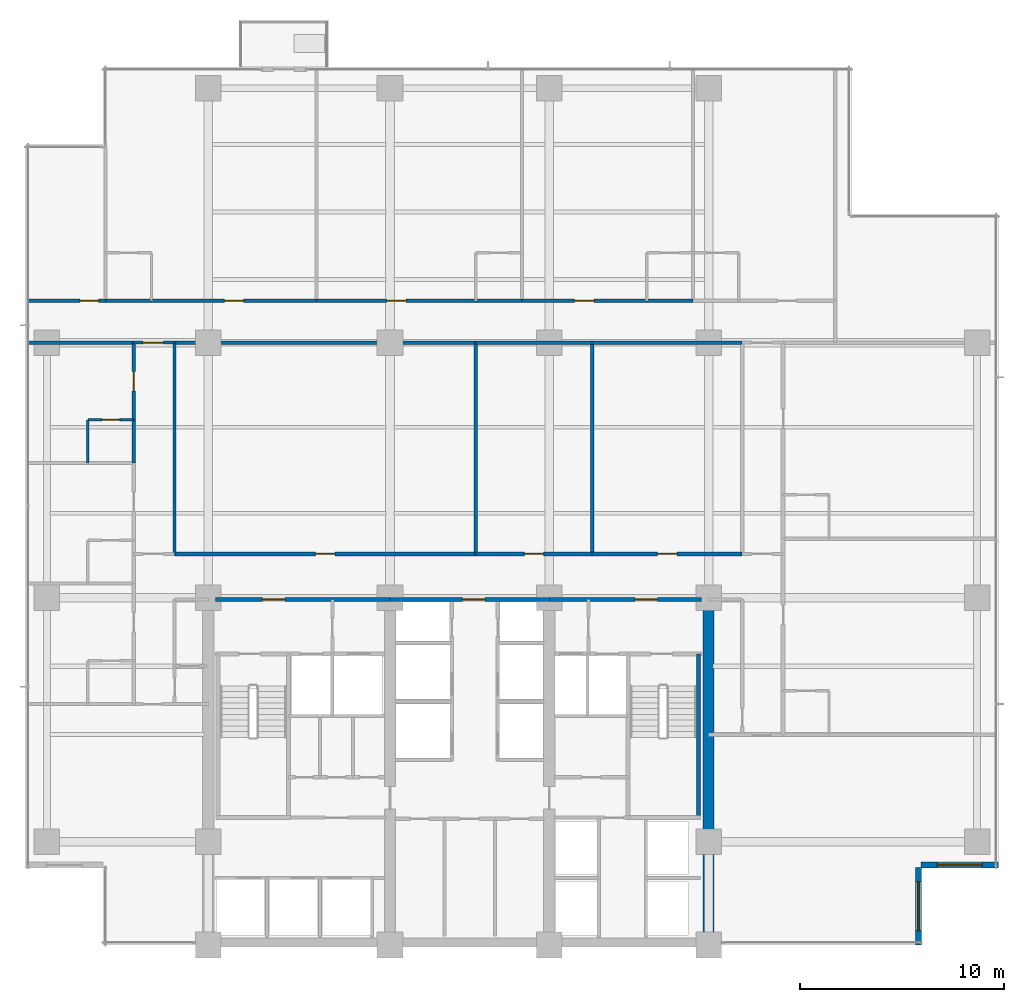
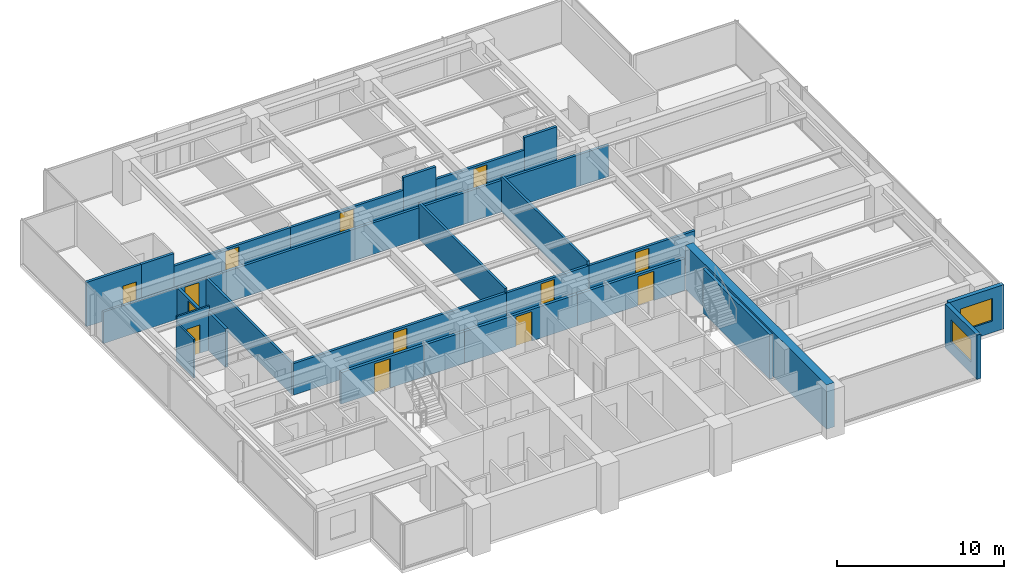
# One storey, part 10 of 18: 30 walls, 13 doors, 2 windows, 15 openings.
"""IFC4 building model written with IfcOpenShell, lengths in metres."""

from ifc_helpers import new_model, si_unit, direction, frame, frame_2d, origin, place, context, subcontext, project, spatial, rectangle, extrude, material, layer, layer_set, type_object, element, fill, save


model = new_model("IFC4")

# Units and contexts
model_context = context("Model", 3, precision=1e-05, world=origin(), true_north=direction((0.0, 1.0)))
body_context = subcontext(model_context, "Body", "Model", "MODEL_VIEW")
ifc_project = project(units=[si_unit("LENGTHUNIT", "METRE"), si_unit("AREAUNIT", "SQUARE_METRE"), si_unit("VOLUMEUNIT", "CUBIC_METRE"), si_unit("PLANEANGLEUNIT", "RADIAN"), si_unit("MASSUNIT", "GRAM", prefix="KILO")], contexts=[model_context])

# Site, building, storey
site_placement = place(None, origin())
site = spatial("IfcSite", under=ifc_project, at=site_placement, CompositionType="ELEMENT")
building_placement = place(site_placement, origin())
building = spatial("IfcBuilding", under=site, at=building_placement, Name="Qalmaran Belvedere Hotel", CompositionType="ELEMENT")
storey_placement = place(building_placement, frame((0.0, 0.0, 95.199951171875)))
storey = spatial("IfcBuildingStorey", under=building, at=storey_placement, Name="L23", CompositionType="ELEMENT", Elevation=95.199951171875)

# Wall
ifc_material_1 = material(Name="Concrete C60/75", Category="concrete")
ifc_layer_1 = layer(ifc_material_1, 0.550048828125, Name="Concrete C60/75")
ifc_layer_set_1 = layer_set([ifc_layer_1], Name="Concrete C60/75")
wall_type_1 = type_object("IfcWallType", Name="WL-CORE-550-C60", PredefinedType="SHEAR", material=ifc_layer_set_1)
wall_1_placement = place(storey_placement, frame((44.800048828125, 3.5, 0.0), z_axis=(0.0, 0.0, 1.0), x_axis=(0.0, 1.0, 0.0)))
element("IfcWall", 1, at=wall_1_placement, inside=storey, type_object=wall_type_1, Name="L23 East Core Shear Wall", PredefinedType="SHEAR", context=body_context, shape_type="SweptSolid", body=[
    extrude(rectangle(XDim=16.89990234375, YDim=0.550048828125, at=frame_2d((8.449951171875, 0.0))), origin(), (0.0, 0.0, 1.0), 3.239990234375),
])

# Wall, opening, window
ifc_material_2 = material(Name="Anodised Bronze Cladding")
ifc_layer_2 = layer(ifc_material_2, 0.280029296875, Name="Anodised Bronze Cladding")
ifc_layer_set_2 = layer_set([ifc_layer_2], Name="Anodised Bronze Cladding")
wall_type_2 = type_object("IfcWallType", Name="WL-EXT-BRNZ-280", PredefinedType="SOLIDWALL", material=ifc_layer_set_2)
wall_2_placement = place(storey_placement, frame((55.080078125, 3.5, 0.0), z_axis=(0.0, 0.0, 1.0), x_axis=(0.0, 1.0, 0.0)))
wall_2 = element("IfcWall", 2, at=wall_2_placement, inside=storey, type_object=wall_type_2, Name="L23 Corner Notch Wall 1", PredefinedType="SOLIDWALL", context=body_context, shape_type="SweptSolid", body=[
    extrude(rectangle(XDim=3.800048828125, YDim=0.280029296875, at=frame_2d((1.89990234375, 0.0))), origin(), (0.0, 0.0, 1.0), 3.239990234375),
])
opening_1_placement = place(wall_2_placement, frame((0.699951171875, 0.0, 0.85009765625)))
opening_1 = element("IfcOpeningElement", 3, at=opening_1_placement, cuts=wall_2, Name="Opening W-N24", PredefinedType="OPENING", context=body_context, shape_type="SweptSolid", body=[
    extrude(rectangle(XDim=2.39990234375, YDim=1.64990234375, at=frame_2d((1.199951171875, 0.824951171875))), frame((0.0, 0.14990234375, 0.0), z_axis=(0.0, -1.0, 0.0), x_axis=(1.0, 0.0, 0.0)), (0.0, 0.0, 1.0), 0.300048828125),
])
ifc_material_3 = material(Name="Solar-Control Double Glazing", Category="glass")
window_type_1 = type_object("IfcWindowType", Name="WN-NTC-2400X1650", PartitioningType="SINGLE_PANEL", PredefinedType="WINDOW", material=ifc_material_3)
window_1_placement = place(opening_1_placement, origin())
window_1 = element("IfcWindow", 4, at=window_1_placement, inside=storey, type_object=window_type_1, Name="L23 Corner Notch Window 1", OverallHeight=1.64990234375, OverallWidth=2.39990234375, PartitioningType="SINGLE_PANEL", PredefinedType="WINDOW", context=body_context, shape_type="SweptSolid", body=[
    extrude(rectangle(XDim=2.39990234375, YDim=1.64990234375, at=frame_2d((1.199951171875, 0.824951171875))), frame((0.0, 0.030029296875, 0.0), z_axis=(0.0, -1.0, 0.0), x_axis=(1.0, 0.0, 0.0)), (0.0, 0.0, 1.0), 0.06005859375),
])
fill(opening_1, window_1)

wall_3_placement = place(storey_placement, frame((55.199951171875, 7.419921875, 0.0), z_axis=(0.0, 0.0, 1.0), x_axis=(1.0, 0.0, 0.0)))
wall_3 = element("IfcWall", 5, at=wall_3_placement, inside=storey, type_object=wall_type_2, Name="L23 Corner Notch Wall 2", PredefinedType="SOLIDWALL", context=body_context, shape_type="SweptSolid", body=[
    extrude(rectangle(XDim=3.800048828125, YDim=0.280029296875, at=frame_2d((1.89990234375, 0.0))), origin(), (0.0, 0.0, 1.0), 3.239990234375),
])
opening_2_placement = place(wall_3_placement, frame((0.800048828125, 0.0, 0.85009765625)))
opening_2 = element("IfcOpeningElement", 6, at=opening_2_placement, cuts=wall_3, Name="Opening W-N22", PredefinedType="OPENING", context=body_context, shape_type="SweptSolid", body=[
    extrude(rectangle(XDim=2.199951171875, YDim=1.64990234375, at=frame_2d((1.10009765625, 0.824951171875))), frame((0.0, 0.14990234375, 0.0), z_axis=(0.0, -1.0, 0.0), x_axis=(1.0, 0.0, 0.0)), (0.0, 0.0, 1.0), 0.300048828125),
])
window_type_2 = type_object("IfcWindowType", Name="WN-NTC-2200X1650", PartitioningType="SINGLE_PANEL", PredefinedType="WINDOW", material=ifc_material_3)
window_2_placement = place(opening_2_placement, origin())
window_2 = element("IfcWindow", 7, at=window_2_placement, inside=storey, type_object=window_type_2, Name="L23 Corner Notch Window 2", OverallHeight=1.64990234375, OverallWidth=2.199951171875, PartitioningType="SINGLE_PANEL", PredefinedType="WINDOW", context=body_context, shape_type="SweptSolid", body=[
    extrude(rectangle(XDim=2.199951171875, YDim=1.64990234375, at=frame_2d((1.10009765625, 0.824951171875))), frame((0.0, 0.030029296875, 0.0), z_axis=(0.0, -1.0, 0.0), x_axis=(1.0, 0.0, 0.0)), (0.0, 0.0, 1.0), 0.06005859375),
])
fill(opening_2, window_2)

# Wall, opening, door
ifc_material_4 = material(Name="Moisture-Resistant Gypsum")
ifc_layer_3 = layer(ifc_material_4, 0.1201171875, Name="Moisture-Resistant Gypsum")
ifc_layer_set_3 = layer_set([ifc_layer_3], Name="Moisture-Resistant Gypsum")
wall_type_3 = type_object("IfcWallType", Name="WL-INT-120-BATH", PredefinedType="PARTITIONING", material=ifc_layer_set_3)
wall_4_placement = place(storey_placement, frame((14.39990234375, 29.219970703125, 0.0), z_axis=(0.0, 0.0, 1.0), x_axis=(1.0, 0.0, 0.0)))
wall_4 = element("IfcWall", 8, at=wall_4_placement, inside=storey, type_object=wall_type_3, Name="L23 Partition WL-L23-WBN02", PredefinedType="PARTITIONING", context=body_context, shape_type="SweptSolid", body=[
    extrude(rectangle(XDim=2.25, YDim=0.1201171875, at=frame_2d((1.125, 0.0))), origin(), (0.0, 0.0, 1.0), 3.239990234375),
])
opening_3_placement = place(wall_4_placement, frame((1.56494140625, 0.0, 0.0), z_axis=(0.0, 0.0, 1.0), x_axis=(-1.0, 0.0, 0.0)))
opening_3 = element("IfcOpeningElement", 9, at=opening_3_placement, cuts=wall_4, Name="Opening D-BATH", PredefinedType="OPENING", context=body_context, shape_type="SweptSolid", body=[
    extrude(rectangle(XDim=0.8798828125, YDim=2.080078125, at=frame_2d((0.43994140625, 1.0400390625))), frame((0.0, 0.070068359375, 0.0), z_axis=(0.0, -1.0, 0.0), x_axis=(1.0, 0.0, 0.0)), (0.0, 0.0, 1.0), 0.14013671875),
])
ifc_material_5 = material(Name="Engineered Oak Veneer")
door_type_1 = type_object("IfcDoorType", Name="DR-INT-BATH-880X2080", OperationType="NOTDEFINED", PredefinedType="DOOR", material=ifc_material_5)
door_1_placement = place(opening_3_placement, origin())
door_1 = element("IfcDoor", 10, at=door_1_placement, inside=storey, type_object=door_type_1, Name="L23 W Ensuite Door 03", OperationType="SINGLE_SWING_LEFT", OverallHeight=2.080078125, OverallWidth=0.8798828125, PredefinedType="DOOR", context=body_context, shape_type="SweptSolid", body=[
    extrude(rectangle(XDim=0.8798828125, YDim=2.080078125, at=frame_2d((0.43994140625, 1.0400390625))), frame((0.0, 0.02490234375, 0.0), z_axis=(0.0, -1.0, 0.0), x_axis=(1.0, 0.0, 0.0)), (0.0, 0.0, 1.0), 0.050048828125),
])
fill(opening_3, door_1)

# Wall
wall_5_placement = place(storey_placement, frame((14.39990234375, 27.10009765625, 0.0), z_axis=(0.0, 0.0, 1.0), x_axis=(0.0, 1.0, 0.0)))
element("IfcWall", 11, at=wall_5_placement, inside=storey, type_object=wall_type_3, Name="L23 Partition WL-L23-WBS02", PredefinedType="PARTITIONING", context=body_context, shape_type="SweptSolid", body=[
    extrude(rectangle(XDim=2.119873046875, YDim=0.1201171875, at=frame_2d((1.06005859375, 0.0))), origin(), (0.0, 0.0, 1.0), 2.818115234375),
])

# Wall, opening, door
ifc_material_6 = material(Name="Gypsum Stud Partition")
ifc_layer_4 = layer(ifc_material_6, 0.14990234375, Name="Gypsum Stud Partition")
ifc_layer_set_4 = layer_set([ifc_layer_4], Name="Gypsum Stud Partition")
wall_type_4 = type_object("IfcWallType", Name="WL-INT-150-EI60", PredefinedType="PARTITIONING", material=ifc_layer_set_4)
wall_6_placement = place(storey_placement, frame((16.64990234375, 33.0, 0.0), z_axis=(0.0, 0.0, 1.0), x_axis=(1.0, 0.0, 0.0)))
wall_6 = element("IfcWall", 12, at=wall_6_placement, inside=storey, type_object=wall_type_4, Name="L23 Partition WL-L23-XCW2", PredefinedType="PARTITIONING", context=body_context, shape_type="SweptSolid", body=[
    extrude(rectangle(XDim=2.0, YDim=0.14990234375, at=frame_2d((1.0, 0.0))), origin(), (0.0, 0.0, 1.0), 2.31298828125),
])
opening_4_placement = place(wall_6_placement, frame((0.449951171875, 0.0, 0.0)))
opening_4 = element("IfcOpeningElement", 13, at=opening_4_placement, cuts=wall_6, Name="Opening FD90B", PredefinedType="OPENING", context=body_context, shape_type="SweptSolid", body=[
    extrude(rectangle(XDim=1.0, YDim=2.14990234375, at=frame_2d((0.5, 1.074951171875))), frame((0.0, 0.0849609375, 0.0), z_axis=(0.0, -1.0, 0.0), x_axis=(1.0, 0.0, 0.0)), (0.0, 0.0, 1.0), 0.169921875),
])
ifc_material_7 = material(Name="Steel S355JR", Category="steel")
door_type_2 = type_object("IfcDoorType", Name="DR-FD90B-1000X2150", OperationType="NOTDEFINED", PredefinedType="DOOR", material=ifc_material_7)
door_2_placement = place(opening_4_placement, origin())
door_2 = element("IfcDoor", 14, at=door_2_placement, inside=storey, type_object=door_type_2, Name="L23 West Corridor Smoke Door N", OperationType="SINGLE_SWING_LEFT", OverallHeight=2.14990234375, OverallWidth=1.0, PredefinedType="DOOR", context=body_context, shape_type="SweptSolid", body=[
    extrude(rectangle(XDim=1.0, YDim=2.14990234375, at=frame_2d((0.5, 1.074951171875))), frame((0.0, 0.02490234375, 0.0), z_axis=(0.0, -1.0, 0.0), x_axis=(1.0, 0.0, 0.0)), (0.0, 0.0, 1.0), 0.050048828125),
])
fill(opening_4, door_2)

# Walls
ifc_layer_5 = layer(ifc_material_6, 0.159912109375, Name="Gypsum Stud Partition")
ifc_layer_set_5 = layer_set([ifc_layer_5], Name="Gypsum Stud Partition")
wall_type_5 = type_object("IfcWallType", Name="WL-INT-160-EI60", PredefinedType="PARTITIONING", material=ifc_layer_set_5)
wall_7_placement = place(storey_placement, frame((18.64990234375, 22.64990234375, 0.0), z_axis=(0.0, 0.0, 1.0), x_axis=(0.0, 1.0, 0.0)))
element("IfcWall", 15, at=wall_7_placement, inside=storey, type_object=wall_type_5, Name="L23 Partition WL-L23-MIDVL", PredefinedType="PARTITIONING", context=body_context, shape_type="SweptSolid", body=[
    extrude(rectangle(XDim=10.35009765625, YDim=0.159912109375, at=frame_2d((5.175048828125, 0.0))), origin(), (0.0, 0.0, 1.0), 2.31298828125),
])
for number, where, z_axis, x_axis, name in (
    (16, (33.39990234375, 22.64990234375, 0.0), (0.0, 0.0, 1.0), (0.0, 1.0, 0.0), "L23 Partition WL-L23-MIDVR1"),
    (17, (39.10009765625, 22.64990234375, 0.0), (0.0, 0.0, 1.0), (0.0, 1.0, 0.0), "L23 Partition WL-L23-MIDVR2"),
):
    element("IfcWall", number, at=place(storey_placement, frame(where, z_axis=z_axis, x_axis=x_axis)), inside=storey, type_object=wall_type_5, Name=name, PredefinedType="PARTITIONING", context=body_context, shape_type="SweptSolid", body=[
        extrude(rectangle(XDim=10.35009765625, YDim=0.159912109375, at=frame_2d((5.175048828125, 0.0))), origin(), (0.0, 0.0, 1.0), 2.614013671875),
    ])
wall_8_placement = place(storey_placement, frame((11.469970703125, 33.0, 0.0), z_axis=(0.0, 0.0, 1.0), x_axis=(1.0, 0.0, 0.0)))
element("IfcWall", 18, at=wall_8_placement, inside=storey, type_object=wall_type_5, Name="L23 Partition WL-L23-WU02", PredefinedType="PARTITIONING", context=body_context, shape_type="SweptSolid", body=[
    extrude(rectangle(XDim=5.179931640625, YDim=0.159912109375, at=frame_2d((2.58984375, 0.0))), origin(), (0.0, 0.0, 1.0), 2.31298828125),
])

# Wall, opening, door
ifc_layer_6 = layer(ifc_material_6, 0.179931640625, Name="Gypsum Stud Partition")
ifc_layer_set_6 = layer_set([ifc_layer_6], Name="Gypsum Stud Partition")
wall_type_6 = type_object("IfcWallType", Name="WL-INT-180-EI60", PredefinedType="PARTITIONING", material=ifc_layer_set_6)
wall_9_placement = place(storey_placement, frame((18.64990234375, 22.64990234375, 0.0), z_axis=(0.0, 0.0, 1.0), x_axis=(1.0, 0.0, 0.0)))
wall_9 = element("IfcWall", 19, at=wall_9_placement, inside=storey, type_object=wall_type_6, Name="L23 Partition WL-L23-MIDD1", PredefinedType="PARTITIONING", context=body_context, shape_type="SweptSolid", body=[
    extrude(rectangle(XDim=14.75, YDim=0.179931640625, at=frame_2d((7.375, 0.0))), origin(), (0.0, 0.0, 1.0), 2.31298828125),
])
opening_5_placement = place(wall_9_placement, frame((6.89990234375, 0.0, 0.0)))
opening_5 = element("IfcOpeningElement", 20, at=opening_5_placement, cuts=wall_9, Name="Opening FD60", PredefinedType="OPENING", context=body_context, shape_type="SweptSolid", body=[
    extrude(rectangle(XDim=0.949951171875, YDim=2.14990234375, at=frame_2d((0.47509765625, 1.074951171875))), frame((0.0, 0.10009765625, 0.0), z_axis=(0.0, -1.0, 0.0), x_axis=(1.0, 0.0, 0.0)), (0.0, 0.0, 1.0), 0.199951171875),
])
door_type_3 = type_object("IfcDoorType", Name="DR-FD60-950X2150", OperationType="NOTDEFINED", PredefinedType="DOOR", material=ifc_material_5)
door_3_placement = place(opening_5_placement, origin())
door_3 = element("IfcDoor", 21, at=door_3_placement, inside=storey, type_object=door_type_3, Name="L23 Housekeeping and Linen Room Door", OperationType="SINGLE_SWING_RIGHT", OverallHeight=2.14990234375, OverallWidth=0.949951171875, PredefinedType="DOOR", context=body_context, shape_type="SweptSolid", body=[
    extrude(rectangle(XDim=0.949951171875, YDim=2.14990234375, at=frame_2d((0.47509765625, 1.074951171875))), frame((0.0, 0.02490234375, 0.0), z_axis=(0.0, -1.0, 0.0), x_axis=(1.0, 0.0, 0.0)), (0.0, 0.0, 1.0), 0.050048828125),
])
fill(opening_5, door_3)

# Wall
wall_10_placement = place(storey_placement, frame((18.64990234375, 33.0, 0.0), z_axis=(0.0, 0.0, 1.0), x_axis=(1.0, 0.0, 0.0)))
element("IfcWall", 22, at=wall_10_placement, inside=storey, type_object=wall_type_6, Name="L23 Partition WL-L23-MIDO1", PredefinedType="PARTITIONING", context=body_context, shape_type="SweptSolid", body=[
    extrude(rectangle(XDim=14.75, YDim=0.179931640625, at=frame_2d((7.375, 0.0))), origin(), (0.0, 0.0, 1.0), 2.31298828125),
])

# Wall, opening, door
wall_11_placement = place(storey_placement, frame((33.39990234375, 22.64990234375, 0.0), z_axis=(0.0, 0.0, 1.0), x_axis=(1.0, 0.0, 0.0)))
wall_11 = element("IfcWall", 23, at=wall_11_placement, inside=storey, type_object=wall_type_6, Name="L23 Partition WL-L23-MIDD2", PredefinedType="PARTITIONING", context=body_context, shape_type="SweptSolid", body=[
    extrude(rectangle(XDim=5.7001953125, YDim=0.179931640625, at=frame_2d((2.85009765625, 0.0))), origin(), (0.0, 0.0, 1.0), 2.31298828125),
])
opening_6_placement = place(wall_11_placement, frame((2.375, 0.0, 0.0)))
opening_6 = element("IfcOpeningElement", 24, at=opening_6_placement, cuts=wall_11, Name="Opening FD60", PredefinedType="OPENING", context=body_context, shape_type="SweptSolid", body=[
    extrude(rectangle(XDim=0.949951171875, YDim=2.14990234375, at=frame_2d((0.47509765625, 1.074951171875))), frame((0.0, 0.10009765625, 0.0), z_axis=(0.0, -1.0, 0.0), x_axis=(1.0, 0.0, 0.0)), (0.0, 0.0, 1.0), 0.199951171875),
])
door_4_placement = place(opening_6_placement, origin())
door_4 = element("IfcDoor", 25, at=door_4_placement, inside=storey, type_object=door_type_3, Name="L23 Butler Pantry Door", OperationType="SINGLE_SWING_LEFT", OverallHeight=2.14990234375, OverallWidth=0.949951171875, PredefinedType="DOOR", context=body_context, shape_type="SweptSolid", body=[
    extrude(rectangle(XDim=0.949951171875, YDim=2.14990234375, at=frame_2d((0.47509765625, 1.074951171875))), frame((0.0, 0.02490234375, 0.0), z_axis=(0.0, -1.0, 0.0), x_axis=(1.0, 0.0, 0.0)), (0.0, 0.0, 1.0), 0.050048828125),
])
fill(opening_6, door_4)

# Wall
wall_12_placement = place(storey_placement, frame((33.39990234375, 33.0, 0.0), z_axis=(0.0, 0.0, 1.0), x_axis=(1.0, 0.0, 0.0)))
element("IfcWall", 26, at=wall_12_placement, inside=storey, type_object=wall_type_6, Name="L23 Partition WL-L23-MIDO2", PredefinedType="PARTITIONING", context=body_context, shape_type="SweptSolid", body=[
    extrude(rectangle(XDim=5.7001953125, YDim=0.179931640625, at=frame_2d((2.85009765625, 0.0))), origin(), (0.0, 0.0, 1.0), 2.31298828125),
])

# Wall, opening, door
wall_13_placement = place(storey_placement, frame((39.10009765625, 22.64990234375, 0.0), z_axis=(0.0, 0.0, 1.0), x_axis=(1.0, 0.0, 0.0)))
wall_13 = element("IfcWall", 27, at=wall_13_placement, inside=storey, type_object=wall_type_6, Name="L23 Partition WL-L23-MIDD3", PredefinedType="PARTITIONING", context=body_context, shape_type="SweptSolid", body=[
    extrude(rectangle(XDim=7.349853515625, YDim=0.179931640625, at=frame_2d((3.6748046875, 0.0))), origin(), (0.0, 0.0, 1.0), 2.31298828125),
])
opening_7_placement = place(wall_13_placement, frame((3.199951171875, 0.0, 0.0)))
opening_7 = element("IfcOpeningElement", 28, at=opening_7_placement, cuts=wall_13, Name="Opening FD60", PredefinedType="OPENING", context=body_context, shape_type="SweptSolid", body=[
    extrude(rectangle(XDim=0.949951171875, YDim=2.14990234375, at=frame_2d((0.47509765625, 1.074951171875))), frame((0.0, 0.10009765625, 0.0), z_axis=(0.0, -1.0, 0.0), x_axis=(1.0, 0.0, 0.0)), (0.0, 0.0, 1.0), 0.199951171875),
])
door_5_placement = place(opening_7_placement, origin())
door_5 = element("IfcDoor", 29, at=door_5_placement, inside=storey, type_object=door_type_3, Name="L23 Tea Pantry Door", OperationType="SINGLE_SWING_RIGHT", OverallHeight=2.14990234375, OverallWidth=0.949951171875, PredefinedType="DOOR", context=body_context, shape_type="SweptSolid", body=[
    extrude(rectangle(XDim=0.949951171875, YDim=2.14990234375, at=frame_2d((0.47509765625, 1.074951171875))), frame((0.0, 0.02490234375, 0.0), z_axis=(0.0, -1.0, 0.0), x_axis=(1.0, 0.0, 0.0)), (0.0, 0.0, 1.0), 0.050048828125),
])
fill(opening_7, door_5)

# Walls
wall_14_placement = place(storey_placement, frame((39.10009765625, 33.0, 0.0), z_axis=(0.0, 0.0, 1.0), x_axis=(1.0, 0.0, 0.0)))
element("IfcWall", 30, at=wall_14_placement, inside=storey, type_object=wall_type_6, Name="L23 Partition WL-L23-MIDO3", PredefinedType="PARTITIONING", context=body_context, shape_type="SweptSolid", body=[
    extrude(rectangle(XDim=7.349853515625, YDim=0.179931640625, at=frame_2d((3.6748046875, 0.0))), origin(), (0.0, 0.0, 1.0), 2.31298828125),
])
wall_15_placement = place(storey_placement, frame((15.27001953125, 35.050048828125, 0.0), z_axis=(0.0, 0.0, 1.0), x_axis=(1.0, 0.0, 0.0)))
element("IfcWall", 31, at=wall_15_placement, inside=storey, type_object=wall_type_6, Name="L23 Partition WL-L23-NBC00", PredefinedType="PARTITIONING", context=body_context, shape_type="SweptSolid", body=[
    extrude(rectangle(XDim=2.25, YDim=0.179931640625, at=frame_2d((1.125, 0.0))), origin(), (0.0, 0.0, 1.0), 3.239990234375),
])

# Wall, opening, door
wall_16_placement = place(storey_placement, frame((17.52001953125, 35.050048828125, 0.0), z_axis=(0.0, 0.0, 1.0), x_axis=(1.0, 0.0, 0.0)))
wall_16 = element("IfcWall", 32, at=wall_16_placement, inside=storey, type_object=wall_type_6, Name="L23 Partition WL-L23-NEC00", PredefinedType="PARTITIONING", context=body_context, shape_type="SweptSolid", body=[
    extrude(rectangle(XDim=8.080078125, YDim=0.179931640625, at=frame_2d((4.0400390625, 0.0))), origin(), (0.0, 0.0, 1.0), 2.31298828125),
])
opening_8_placement = place(wall_16_placement, frame((3.56494140625, 0.0, 0.0)))
opening_8 = element("IfcOpeningElement", 33, at=opening_8_placement, cuts=wall_16, Name="Opening FD60", PredefinedType="OPENING", context=body_context, shape_type="SweptSolid", body=[
    extrude(rectangle(XDim=0.949951171875, YDim=2.14990234375, at=frame_2d((0.47509765625, 1.074951171875))), frame((0.0, 0.10009765625, 0.0), z_axis=(0.0, -1.0, 0.0), x_axis=(1.0, 0.0, 0.0)), (0.0, 0.0, 1.0), 0.199951171875),
])
door_6_placement = place(opening_8_placement, origin())
door_6 = element("IfcDoor", 34, at=door_6_placement, inside=storey, type_object=door_type_3, Name="L23 Guest Entrance Door N01", OperationType="SINGLE_SWING_RIGHT", OverallHeight=2.14990234375, OverallWidth=0.949951171875, PredefinedType="DOOR", context=body_context, shape_type="SweptSolid", body=[
    extrude(rectangle(XDim=0.949951171875, YDim=2.14990234375, at=frame_2d((0.47509765625, 1.074951171875))), frame((0.0, 0.02490234375, 0.0), z_axis=(0.0, -1.0, 0.0), x_axis=(1.0, 0.0, 0.0)), (0.0, 0.0, 1.0), 0.050048828125),
])
fill(opening_8, door_6)

# Wall
wall_17_placement = place(storey_placement, frame((33.40966796875, 35.050048828125, 0.0), z_axis=(0.0, 0.0, 1.0), x_axis=(1.0, 0.0, 0.0)))
element("IfcWall", 35, at=wall_17_placement, inside=storey, type_object=wall_type_6, Name="L23 Partition WL-L23-NBC01", PredefinedType="PARTITIONING", context=body_context, shape_type="SweptSolid", body=[
    extrude(rectangle(XDim=2.25, YDim=0.179931640625, at=frame_2d((1.125, 0.0))), origin(), (0.0, 0.0, 1.0), 3.239990234375),
])

# Wall, opening, door
wall_18_placement = place(storey_placement, frame((25.60009765625, 35.050048828125, 0.0), z_axis=(0.0, 0.0, 1.0), x_axis=(1.0, 0.0, 0.0)))
wall_18 = element("IfcWall", 36, at=wall_18_placement, inside=storey, type_object=wall_type_6, Name="L23 Partition WL-L23-NEC01", PredefinedType="PARTITIONING", context=body_context, shape_type="SweptSolid", body=[
    extrude(rectangle(XDim=7.8095703125, YDim=0.179931640625, at=frame_2d((3.90478515625, 0.0))), origin(), (0.0, 0.0, 1.0), 2.31298828125),
])
opening_9_placement = place(wall_18_placement, frame((3.4296875, 0.0, 0.0)))
opening_9 = element("IfcOpeningElement", 37, at=opening_9_placement, cuts=wall_18, Name="Opening FD60", PredefinedType="OPENING", context=body_context, shape_type="SweptSolid", body=[
    extrude(rectangle(XDim=0.949951171875, YDim=2.14990234375, at=frame_2d((0.47509765625, 1.074951171875))), frame((0.0, 0.10009765625, 0.0), z_axis=(0.0, -1.0, 0.0), x_axis=(1.0, 0.0, 0.0)), (0.0, 0.0, 1.0), 0.199951171875),
])
door_7_placement = place(opening_9_placement, origin())
door_7 = element("IfcDoor", 38, at=door_7_placement, inside=storey, type_object=door_type_3, Name="L23 Guest Entrance Door N02", OperationType="SINGLE_SWING_RIGHT", OverallHeight=2.14990234375, OverallWidth=0.949951171875, PredefinedType="DOOR", context=body_context, shape_type="SweptSolid", body=[
    extrude(rectangle(XDim=0.949951171875, YDim=2.14990234375, at=frame_2d((0.47509765625, 1.074951171875))), frame((0.0, 0.02490234375, 0.0), z_axis=(0.0, -1.0, 0.0), x_axis=(1.0, 0.0, 0.0)), (0.0, 0.0, 1.0), 0.050048828125),
])
fill(opening_9, door_7)

# Wall
wall_19_placement = place(storey_placement, frame((41.783935546875, 35.050048828125, 0.0), z_axis=(0.0, 0.0, 1.0), x_axis=(1.0, 0.0, 0.0)))
element("IfcWall", 39, at=wall_19_placement, inside=storey, type_object=wall_type_6, Name="L23 Partition WL-L23-NBC02", PredefinedType="PARTITIONING", context=body_context, shape_type="SweptSolid", body=[
    extrude(rectangle(XDim=2.25, YDim=0.179931640625, at=frame_2d((1.125, 0.0))), origin(), (0.0, 0.0, 1.0), 3.239990234375),
])

# Wall, opening, door
wall_20_placement = place(storey_placement, frame((35.65966796875, 35.050048828125, 0.0), z_axis=(0.0, 0.0, 1.0), x_axis=(1.0, 0.0, 0.0)))
wall_20 = element("IfcWall", 40, at=wall_20_placement, inside=storey, type_object=wall_type_6, Name="L23 Partition WL-L23-NEC02", PredefinedType="PARTITIONING", context=body_context, shape_type="SweptSolid", body=[
    extrude(rectangle(XDim=6.124267578125, YDim=0.179931640625, at=frame_2d((3.06201171875, 0.0))), origin(), (0.0, 0.0, 1.0), 2.31298828125),
])
opening_10_placement = place(wall_20_placement, frame((2.587158203125, 0.0, 0.0)))
opening_10 = element("IfcOpeningElement", 41, at=opening_10_placement, cuts=wall_20, Name="Opening FD60", PredefinedType="OPENING", context=body_context, shape_type="SweptSolid", body=[
    extrude(rectangle(XDim=0.949951171875, YDim=2.14990234375, at=frame_2d((0.47509765625, 1.074951171875))), frame((0.0, 0.10009765625, 0.0), z_axis=(0.0, -1.0, 0.0), x_axis=(1.0, 0.0, 0.0)), (0.0, 0.0, 1.0), 0.199951171875),
])
door_8_placement = place(opening_10_placement, origin())
door_8 = element("IfcDoor", 42, at=door_8_placement, inside=storey, type_object=door_type_3, Name="L23 Guest Entrance Door N03", OperationType="SINGLE_SWING_RIGHT", OverallHeight=2.14990234375, OverallWidth=0.949951171875, PredefinedType="DOOR", context=body_context, shape_type="SweptSolid", body=[
    extrude(rectangle(XDim=0.949951171875, YDim=2.14990234375, at=frame_2d((0.47509765625, 1.074951171875))), frame((0.0, 0.02490234375, 0.0), z_axis=(0.0, -1.0, 0.0), x_axis=(1.0, 0.0, 0.0)), (0.0, 0.0, 1.0), 0.050048828125),
])
fill(opening_10, door_8)

# Wall
wall_21_placement = place(storey_placement, frame((16.64990234375, 27.10009765625, 0.0), z_axis=(0.0, 0.0, 1.0), x_axis=(0.0, 1.0, 0.0)))
element("IfcWall", 43, at=wall_21_placement, inside=storey, type_object=wall_type_6, Name="L23 Partition WL-L23-WBC02", PredefinedType="PARTITIONING", context=body_context, shape_type="SweptSolid", body=[
    extrude(rectangle(XDim=2.119873046875, YDim=0.179931640625, at=frame_2d((1.06005859375, 0.0))), origin(), (0.0, 0.0, 1.0), 2.818115234375),
])

# Wall, opening, door
wall_22_placement = place(storey_placement, frame((16.64990234375, 29.219970703125, 0.0), z_axis=(0.0, 0.0, 1.0), x_axis=(0.0, 1.0, 0.0)))
wall_22 = element("IfcWall", 44, at=wall_22_placement, inside=storey, type_object=wall_type_6, Name="L23 Partition WL-L23-WEC02", PredefinedType="PARTITIONING", context=body_context, shape_type="SweptSolid", body=[
    extrude(rectangle(XDim=3.780029296875, YDim=0.179931640625, at=frame_2d((1.89013671875, 0.0))), origin(), (0.0, 0.0, 1.0), 2.31298828125),
])
opening_11_placement = place(wall_22_placement, frame((1.4150390625, 0.0, 0.0)))
opening_11 = element("IfcOpeningElement", 45, at=opening_11_placement, cuts=wall_22, Name="Opening FD60", PredefinedType="OPENING", context=body_context, shape_type="SweptSolid", body=[
    extrude(rectangle(XDim=0.949951171875, YDim=2.14990234375, at=frame_2d((0.47509765625, 1.074951171875))), frame((0.0, 0.10009765625, 0.0), z_axis=(0.0, -1.0, 0.0), x_axis=(1.0, 0.0, 0.0)), (0.0, 0.0, 1.0), 0.199951171875),
])
door_9_placement = place(opening_11_placement, origin())
door_9 = element("IfcDoor", 46, at=door_9_placement, inside=storey, type_object=door_type_3, Name="L23 W Wing Door 03", OperationType="SINGLE_SWING_RIGHT", OverallHeight=2.14990234375, OverallWidth=0.949951171875, PredefinedType="DOOR", context=body_context, shape_type="SweptSolid", body=[
    extrude(rectangle(XDim=0.949951171875, YDim=2.14990234375, at=frame_2d((0.47509765625, 1.074951171875))), frame((0.0, 0.02490234375, 0.0), z_axis=(0.0, -1.0, 0.0), x_axis=(1.0, 0.0, 0.0)), (0.0, 0.0, 1.0), 0.050048828125),
])
fill(opening_11, door_9)

wall_23_placement = place(storey_placement, frame((11.469970703125, 35.050048828125, 0.0), z_axis=(0.0, 0.0, 1.0), x_axis=(1.0, 0.0, 0.0)))
wall_23 = element("IfcWall", 47, at=wall_23_placement, inside=storey, type_object=wall_type_6, Name="L23 Partition WL-L23-NWSD", PredefinedType="PARTITIONING", context=body_context, shape_type="SweptSolid", body=[
    extrude(rectangle(XDim=3.800048828125, YDim=0.179931640625, at=frame_2d((1.89990234375, 0.0))), origin(), (0.0, 0.0, 1.0), 3.239990234375),
])
opening_12_placement = place(wall_23_placement, frame((2.543701171875, 0.0, 0.0)))
opening_12 = element("IfcOpeningElement", 48, at=opening_12_placement, cuts=wall_23, Name="Opening FD60S1", PredefinedType="OPENING", context=body_context, shape_type="SweptSolid", body=[
    extrude(rectangle(XDim=0.919921875, YDim=2.080078125, at=frame_2d((0.4599609375, 1.0400390625))), frame((0.0, 0.10009765625, 0.0), z_axis=(0.0, -1.0, 0.0), x_axis=(1.0, 0.0, 0.0)), (0.0, 0.0, 1.0), 0.199951171875),
])
door_type_4 = type_object("IfcDoorType", Name="DR-FD60S-920X2080", OperationType="NOTDEFINED", PredefinedType="DOOR", material=ifc_material_5)
door_10_placement = place(opening_12_placement, origin())
door_10 = element("IfcDoor", 49, at=door_10_placement, inside=storey, type_object=door_type_4, Name="L23 NW Belvedere Study Door", OperationType="SINGLE_SWING_LEFT", OverallHeight=2.080078125, OverallWidth=0.919921875, PredefinedType="DOOR", context=body_context, shape_type="SweptSolid", body=[
    extrude(rectangle(XDim=0.919921875, YDim=2.080078125, at=frame_2d((0.4599609375, 1.0400390625))), frame((0.0, 0.02490234375, 0.0), z_axis=(0.0, -1.0, 0.0), x_axis=(1.0, 0.0, 0.0)), (0.0, 0.0, 1.0), 0.050048828125),
])
fill(opening_12, door_10)

ifc_material_8 = material(Name="Concrete C30/37 Blockwork", Category="masonry")
ifc_layer_7 = layer(ifc_material_8, 0.199951171875, Name="Concrete C30/37 Blockwork")
ifc_layer_set_7 = layer_set([ifc_layer_7], Name="Concrete C30/37 Blockwork")
wall_type_7 = type_object("IfcWallType", Name="WL-INT-200-EI120", PredefinedType="PARTITIONING", material=ifc_layer_set_7)
wall_24_placement = place(storey_placement, frame((20.64990234375, 20.419921875, 0.0), z_axis=(0.0, 0.0, 1.0), x_axis=(1.0, 0.0, 0.0)))
wall_24 = element("IfcWall", 50, at=wall_24_placement, inside=storey, type_object=wall_type_7, Name="L23 Partition WL-CN1A-L23", PredefinedType="PARTITIONING", context=body_context, shape_type="SweptSolid", body=[
    extrude(rectangle(XDim=5.72998046875, YDim=0.199951171875, at=frame_2d((2.864990234375, 0.0))), origin(), (0.0, 0.0, 1.0), 2.31298828125),
])
opening_13_placement = place(wall_24_placement, frame((2.300048828125, 0.0, 0.0)))
opening_13 = element("IfcOpeningElement", 51, at=opening_13_placement, cuts=wall_24, Name="Opening FD90", PredefinedType="OPENING", context=body_context, shape_type="SweptSolid", body=[
    extrude(rectangle(XDim=1.10009765625, YDim=2.14990234375, at=frame_2d((0.550048828125, 1.074951171875))), frame((0.0, 0.10986328125, 0.0), z_axis=(0.0, -1.0, 0.0), x_axis=(1.0, 0.0, 0.0)), (0.0, 0.0, 1.0), 0.219970703125),
])
door_type_5 = type_object("IfcDoorType", Name="DR-FD90-1100X2150", OperationType="NOTDEFINED", PredefinedType="DOOR", material=ifc_material_7)
door_11_placement = place(opening_13_placement, origin())
door_11 = element("IfcDoor", 52, at=door_11_placement, inside=storey, type_object=door_type_5, Name="L23 FF1 Lobby Corridor Door", OperationType="SINGLE_SWING_RIGHT", OverallHeight=2.14990234375, OverallWidth=1.10009765625, PredefinedType="DOOR", context=body_context, shape_type="SweptSolid", body=[
    extrude(rectangle(XDim=1.10009765625, YDim=2.14990234375, at=frame_2d((0.550048828125, 1.074951171875))), frame((0.0, 0.02490234375, 0.0), z_axis=(0.0, -1.0, 0.0), x_axis=(1.0, 0.0, 0.0)), (0.0, 0.0, 1.0), 0.050048828125),
])
fill(opening_13, door_11)

# Wall
wall_25_placement = place(storey_placement, frame((26.3798828125, 20.419921875, 0.0), z_axis=(0.0, 0.0, 1.0), x_axis=(1.0, 0.0, 0.0)))
element("IfcWall", 53, at=wall_25_placement, inside=storey, type_object=wall_type_7, Name="L23 Partition WL-CN1B-L23", PredefinedType="PARTITIONING", context=body_context, shape_type="SweptSolid", body=[
    extrude(rectangle(XDim=2.820068359375, YDim=0.199951171875, at=frame_2d((1.41015625, 0.0))), origin(), (0.0, 0.0, 1.0), 2.31298828125),
])

# Wall, opening, door
wall_26_placement = place(storey_placement, frame((29.199951171875, 20.419921875, 0.0), z_axis=(0.0, 0.0, 1.0), x_axis=(1.0, 0.0, 0.0)))
wall_26 = element("IfcWall", 54, at=wall_26_placement, inside=storey, type_object=wall_type_7, Name="L23 Partition WL-CN2-L23", PredefinedType="PARTITIONING", context=body_context, shape_type="SweptSolid", body=[
    extrude(rectangle(XDim=7.800048828125, YDim=0.199951171875, at=frame_2d((3.89990234375, 0.0))), origin(), (0.0, 0.0, 1.0), 2.31298828125),
])
opening_14_placement = place(wall_26_placement, frame((3.550048828125, 0.0, 0.0)))
opening_14 = element("IfcOpeningElement", 55, at=opening_14_placement, cuts=wall_26, Name="Opening FD90", PredefinedType="OPENING", context=body_context, shape_type="SweptSolid", body=[
    extrude(rectangle(XDim=1.10009765625, YDim=2.14990234375, at=frame_2d((0.550048828125, 1.074951171875))), frame((0.0, 0.10986328125, 0.0), z_axis=(0.0, -1.0, 0.0), x_axis=(1.0, 0.0, 0.0)), (0.0, 0.0, 1.0), 0.219970703125),
])
door_12_placement = place(opening_14_placement, origin())
door_12 = element("IfcDoor", 56, at=door_12_placement, inside=storey, type_object=door_type_5, Name="L23 Central Lift Lobby Door", OperationType="SINGLE_SWING_LEFT", OverallHeight=2.14990234375, OverallWidth=1.10009765625, PredefinedType="DOOR", context=body_context, shape_type="SweptSolid", body=[
    extrude(rectangle(XDim=1.10009765625, YDim=2.14990234375, at=frame_2d((0.550048828125, 1.074951171875))), frame((0.0, 0.02490234375, 0.0), z_axis=(0.0, -1.0, 0.0), x_axis=(1.0, 0.0, 0.0)), (0.0, 0.0, 1.0), 0.050048828125),
])
fill(opening_14, door_12)

wall_27_placement = place(storey_placement, frame((37.0, 20.419921875, 0.0), z_axis=(0.0, 0.0, 1.0), x_axis=(1.0, 0.0, 0.0)))
wall_27 = element("IfcWall", 57, at=wall_27_placement, inside=storey, type_object=wall_type_7, Name="L23 Partition WL-CN3-L23", PredefinedType="PARTITIONING", context=body_context, shape_type="SweptSolid", body=[
    extrude(rectangle(XDim=7.449951171875, YDim=0.199951171875, at=frame_2d((3.72509765625, 0.0))), origin(), (0.0, 0.0, 1.0), 2.31298828125),
])
opening_15_placement = place(wall_27_placement, frame((4.199951171875, 0.0, 0.0)))
opening_15 = element("IfcOpeningElement", 58, at=opening_15_placement, cuts=wall_27, Name="Opening FD90", PredefinedType="OPENING", context=body_context, shape_type="SweptSolid", body=[
    extrude(rectangle(XDim=1.10009765625, YDim=2.14990234375, at=frame_2d((0.550048828125, 1.074951171875))), frame((0.0, 0.10986328125, 0.0), z_axis=(0.0, -1.0, 0.0), x_axis=(1.0, 0.0, 0.0)), (0.0, 0.0, 1.0), 0.219970703125),
])
door_13_placement = place(opening_15_placement, origin())
door_13 = element("IfcDoor", 59, at=door_13_placement, inside=storey, type_object=door_type_5, Name="L23 FF2 Lobby Corridor Door", OperationType="SINGLE_SWING_RIGHT", OverallHeight=2.14990234375, OverallWidth=1.10009765625, PredefinedType="DOOR", context=body_context, shape_type="SweptSolid", body=[
    extrude(rectangle(XDim=1.10009765625, YDim=2.14990234375, at=frame_2d((0.550048828125, 1.074951171875))), frame((0.0, 0.02490234375, 0.0), z_axis=(0.0, -1.0, 0.0), x_axis=(1.0, 0.0, 0.0)), (0.0, 0.0, 1.0), 0.050048828125),
])
fill(opening_15, door_13)

# Wall
ifc_material_9 = material(Name="Concrete C50/60", Category="concrete")
ifc_layer_8 = layer(ifc_material_9, 0.2099609375, Name="Concrete C50/60")
ifc_layer_set_8 = layer_set([ifc_layer_8], Name="Concrete C50/60")
wall_type_8 = type_object("IfcWallType", Name="WL-STAIR-210-C50", PredefinedType="SHEAR", material=ifc_layer_set_8)
wall_28_placement = place(storey_placement, frame((44.304931640625, 9.7451171875, 0.0), z_axis=(0.0, 0.0, 1.0), x_axis=(0.0, 1.0, 0.0)))
element("IfcWall", 60, at=wall_28_placement, inside=storey, type_object=wall_type_8, Name="L23 Stair ST-2 East Bearing Wall", PredefinedType="SHEAR", context=body_context, shape_type="SweptSolid", body=[
    extrude(rectangle(XDim=8.009765625, YDim=0.2099609375, at=frame_2d((4.0048828125, 0.0))), origin(), (0.0, 0.0, 1.0), 3.239990234375),
])

save(model, "model.ifc")
